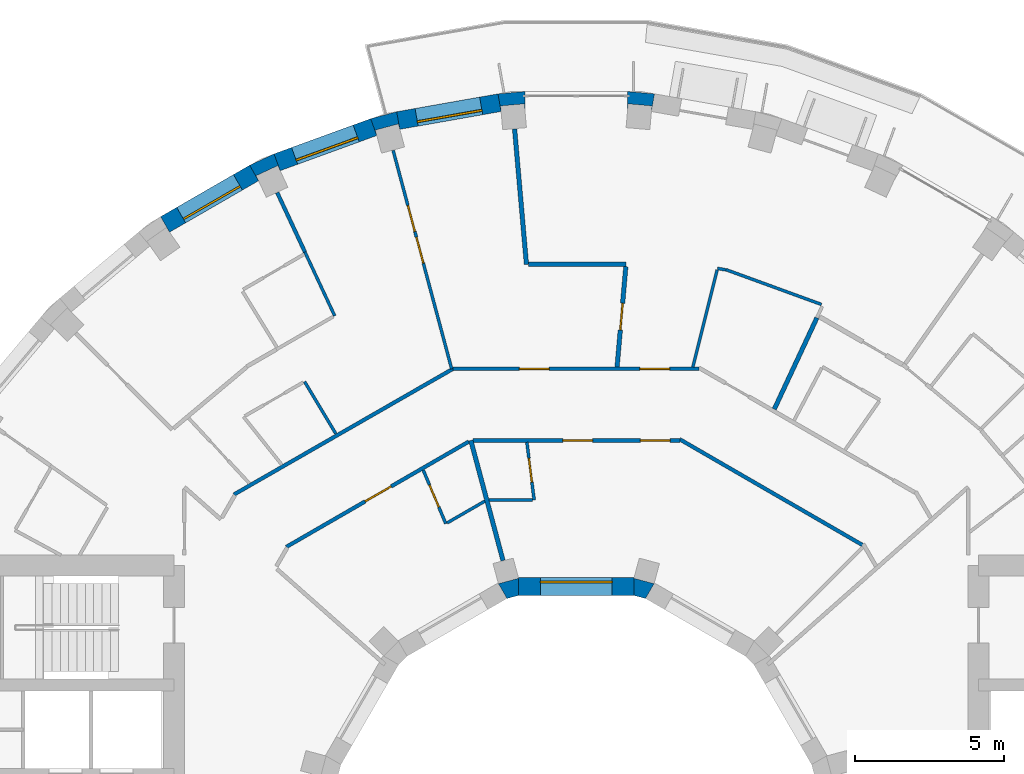
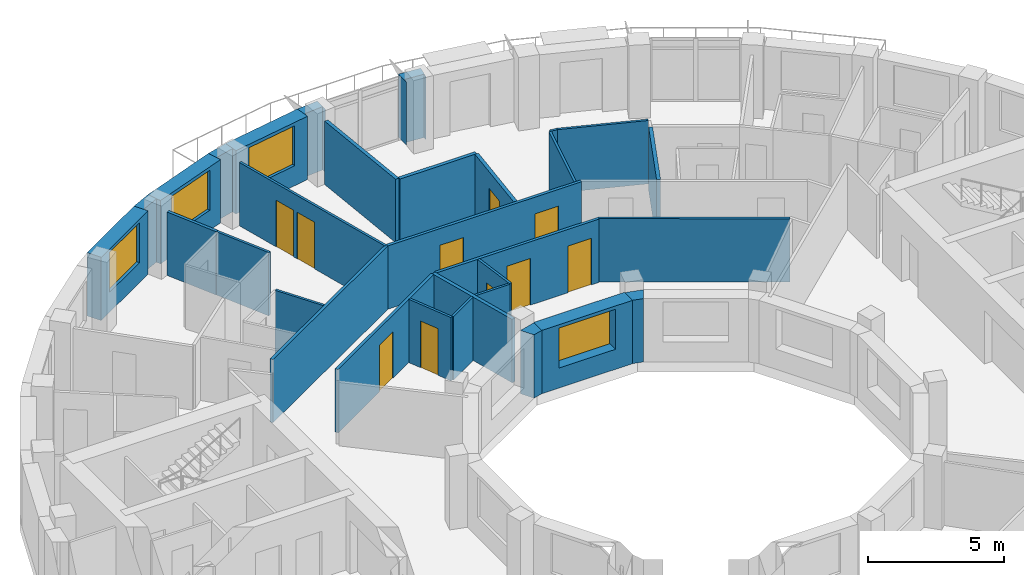
# One storey, part 10 of 13: 31 walls, 10 doors, 4 windows, 14 openings.
"""IFC4 building model written with IfcOpenShell, lengths in metres."""

import ifcopenshell
import ifcopenshell.guid

model = None  # the IFC model being written
_history = None  # IfcOwnerHistory: only IFC2X3 demands one
_inside = {}  # id of a spatial element -> (the spatial element, [elements in it])
_under = {}  # id of a project, library or spatial element -> (it, [spatial elements below it])
_declared = {}  # id of a project -> (the project, [libraries it declares])
_typed = {}  # id of a type object -> (the type object, [elements of that type])
_made_of = {}  # id of a material, layer set ... -> (it, [elements and type objects made of it])


def new_model(schema):
    """Start an empty IFC model of exactly this schema.

    Asked for "IFC4X3", IfcOpenShell would pick the latest addendum, in which some entities
    have other attributes; the version numbers below select the first issue.
    IFC2X3 requires an IfcOwnerHistory on every rooted entity: one is made here for all.
    """
    global model, _history
    if schema == "IFC4X3":
        model = ifcopenshell.file(schema_version=(4, 3, 0, 0))
    else:
        model = ifcopenshell.file(schema=schema)
    _inside.clear()
    _under.clear()
    _declared.clear()
    _typed.clear()
    _made_of.clear()
    _history = None
    if model.schema == "IFC2X3":
        org = make("IfcOrganization", Name="unknown")
        user = make(
            "IfcPersonAndOrganization",
            ThePerson=make("IfcPerson", FamilyName="unknown"),
            TheOrganization=org,
        )
        app = make(
            "IfcApplication",
            ApplicationDeveloper=org,
            Version="unknown",
            ApplicationFullName="unknown",
            ApplicationIdentifier="unknown",
        )
        _history = make(
            "IfcOwnerHistory",
            OwningUser=user,
            OwningApplication=app,
            ChangeAction="ADDED",
            CreationDate=0,
        )
    return model


def make(cls, **values):
    """One entity of the class cls with the attributes given. An attribute that is None is left unset."""
    return model.create_entity(
        cls, **{name: value for name, value in values.items() if value is not None}
    )


def rooted(cls, **values):
    """An entity with a GlobalId (a new one), such as an element, a storey or a relation."""
    return make(cls, GlobalId=ifcopenshell.guid.new(), OwnerHistory=_history, **values)


def si_unit(unit_type, name, prefix=None):
    """IfcSIUnit, for example si_unit("LENGTHUNIT", "METRE", prefix="MILLI")."""
    return make("IfcSIUnit", UnitType=unit_type, Prefix=prefix, Name=name)


def assignment(units):
    """IfcUnitAssignment: the units of a project."""
    return None if units is None else make("IfcUnitAssignment", Units=units)


def point(xyz):
    """IfcCartesianPoint."""
    return None if xyz is None else make("IfcCartesianPoint", Coordinates=xyz)


def direction(xyz):
    """IfcDirection."""
    return None if xyz is None else make("IfcDirection", DirectionRatios=xyz)


def frame(location, z_axis=None, x_axis=None):
    """IfcAxis2Placement3D, a coordinate frame: its origin and axes. An axis left out is left unset."""
    return make(
        "IfcAxis2Placement3D",
        Location=point(location),
        Axis=direction(z_axis),
        RefDirection=direction(x_axis),
    )


def frame_2d(location, x_axis=None):
    """IfcAxis2Placement2D, a coordinate frame in the plane: its origin and x axis."""
    return make(
        "IfcAxis2Placement2D", Location=point(location), RefDirection=direction(x_axis)
    )


def origin():
    """The frame at (0, 0, 0) with its axes left unset."""
    return frame((0.0, 0.0, 0.0))


def place(relative_to, where):
    """IfcLocalPlacement: puts the frame where relative to a parent placement (None: the world)."""
    return make(
        "IfcLocalPlacement", PlacementRelTo=relative_to, RelativePlacement=where
    )


def context(
    kind, dimensions, precision=None, world=None, true_north=None, identifier=None
):
    """IfcGeometricRepresentationContext, for example the 3D "Model" context."""
    return make(
        "IfcGeometricRepresentationContext",
        ContextIdentifier=identifier,
        ContextType=kind,
        CoordinateSpaceDimension=dimensions,
        Precision=precision,
        WorldCoordinateSystem=world,
        TrueNorth=true_north,
    )


def subcontext(parent, identifier, kind, view, scale=None):
    """IfcGeometricRepresentationSubContext, for example "Body" below "Model"."""
    return make(
        "IfcGeometricRepresentationSubContext",
        ContextIdentifier=identifier,
        ContextType=kind,
        ParentContext=parent,
        TargetScale=scale,
        TargetView=view,
    )


def project(units=None, contexts=None):
    """IfcProject with its units and contexts."""
    return rooted(
        "IfcProject",
        Name="project",
        RepresentationContexts=contexts,
        UnitsInContext=assignment(units),
    )


def spatial(cls, under=None, at=None, **own):
    """A site, building, storey or space (cls), placed at a placement, below another one or the project."""
    s = rooted(cls, ObjectPlacement=at, **own)
    if under is not None:
        _under.setdefault(under.id(), (under, []))[1].append(s)
    return s


def polyline(points):
    """IfcPolyline through the points."""
    return make("IfcPolyline", Points=[point(p) for p in points])


def profile(cls, at=None, kind="AREA", **sizes):
    """A parametric profile (cls). Its sizes go by their IFC names, for example OverallWidth=200.0."""
    return make(cls, ProfileType=kind, Position=at, **sizes)


def rectangle(**sizes):
    """IfcRectangleProfileDef."""
    return profile("IfcRectangleProfileDef", **sizes)


def outline(outer, holes=None, kind="AREA"):
    """IfcArbitraryClosedProfileDef: a profile drawn as a closed curve; with holes, ...WithVoids."""
    if holes is None:
        return make("IfcArbitraryClosedProfileDef", ProfileType=kind, OuterCurve=outer)
    return make(
        "IfcArbitraryProfileDefWithVoids",
        ProfileType=kind,
        OuterCurve=outer,
        InnerCurves=holes,
    )


def extrude(swept, where, along, depth):
    """IfcExtrudedAreaSolid: the profile swept, set in the frame where, extruded along a direction by depth."""
    return make(
        "IfcExtrudedAreaSolid",
        SweptArea=swept,
        Position=where,
        ExtrudedDirection=direction(along),
        Depth=depth,
    )


def shape(context_of_items, identifier, shape_type, items):
    """IfcShapeRepresentation: the items that make up one representation, for example the "Body"."""
    return make(
        "IfcShapeRepresentation",
        ContextOfItems=context_of_items,
        RepresentationIdentifier=identifier,
        RepresentationType=shape_type,
        Items=items,
    )


def material(Name=None, Category=None):
    """IfcMaterial."""
    return make("IfcMaterial", Name=Name, Category=Category)


def layer(
    of_material, thickness, ventilated=None, Name=None, Category=None, Priority=None
):
    """IfcMaterialLayer: one layer of a wall or slab, of a material (None: an air gap)."""
    return make(
        "IfcMaterialLayer",
        Material=of_material,
        LayerThickness=thickness,
        IsVentilated=ventilated,
        Name=Name,
        Category=Category,
        Priority=Priority,
    )


def layer_set(layers, Name=None):
    """IfcMaterialLayerSet."""
    return make("IfcMaterialLayerSet", MaterialLayers=layers, LayerSetName=Name)


def made_of(thing, what):
    """Note that an element or type object is made of a material, layer set ...; save() writes the relation."""
    if what is not None:
        _made_of.setdefault(what.id(), (what, []))[1].append(thing)
    return thing


def type_object(cls, material=None, **own):
    """A type object (cls), such as IfcWallType, which elements share."""
    return made_of(rooted(cls, **own), material)


def element(
    cls,
    number,
    at=None,
    inside=None,
    cuts=None,
    type_object=None,
    material=None,
    context=None,
    identifier="Body",
    shape_type=None,
    held_by="IfcProductDefinitionShape",
    body=None,
    shapes=None,
    **own,
):
    """One element of the class cls, such as IfcWall. Its Tag is "e" and its number.

    at: its placement. inside: the storey or other place that contains it. cuts: it is an
    opening in that element (IfcRelVoidsElement). A single representation is given by context,
    identifier, shape_type and body (its items); several are given by shapes. held_by: the class
    of the entity that holds the representations. save() writes the other relations.
    """
    e = rooted(cls, Tag="e%d" % number, ObjectPlacement=at, **own)
    if body is not None:
        shapes = [shape(context, identifier, shape_type, body)]
    if shapes is not None:
        e.Representation = make(held_by, Representations=shapes)
    if inside is not None:
        _inside.setdefault(inside.id(), (inside, []))[1].append(e)
    if cuts is not None:
        rooted(
            "IfcRelVoidsElement", RelatingBuildingElement=cuts, RelatedOpeningElement=e
        )
    if type_object is not None:
        _typed.setdefault(type_object.id(), (type_object, []))[1].append(e)
    return made_of(e, material)


def fill(opening, filler):
    """IfcRelFillsElement: the door or window that sits in an opening."""
    return rooted(
        "IfcRelFillsElement",
        RelatingOpeningElement=opening,
        RelatedBuildingElement=filler,
    )


def aggregate(whole, parts):
    """IfcRelAggregates: a whole, such as a stair, and the parts it consists of."""
    return rooted("IfcRelAggregates", RelatingObject=whole, RelatedObjects=parts)


def save(model, path):
    """Write the relations noted so far, then the file.

    IfcRelAggregates (storeys below a building ...), IfcRelContainedInSpatialStructure (elements
    in a storey), IfcRelDefinesByType, IfcRelAssociatesMaterial and IfcRelDeclares: one each for
    every whole, place, type object, material and project.
    """
    for whole, parts in _under.values():
        aggregate(whole, parts)
    for where, things in _inside.values():
        rooted(
            "IfcRelContainedInSpatialStructure",
            RelatedElements=things,
            RelatingStructure=where,
        )
    for kind, things in _typed.values():
        rooted("IfcRelDefinesByType", RelatedObjects=things, RelatingType=kind)
    for what, things in _made_of.values():
        rooted("IfcRelAssociatesMaterial", RelatedObjects=things, RelatingMaterial=what)
    for by, libraries in _declared.values():
        rooted("IfcRelDeclares", RelatingContext=by, RelatedDefinitions=libraries)
    model.write(path)


model = new_model("IFC4")

# Units and contexts
model_context = context("Model", 3, precision=1e-05, world=origin(), true_north=direction((0.0, 1.0)))
body_context = subcontext(model_context, "Body", "Model", "MODEL_VIEW")
ifc_project = project(units=[si_unit("LENGTHUNIT", "METRE"), si_unit("AREAUNIT", "SQUARE_METRE"), si_unit("VOLUMEUNIT", "CUBIC_METRE"), si_unit("PLANEANGLEUNIT", "RADIAN"), si_unit("MASSUNIT", "GRAM", prefix="KILO")], contexts=[model_context])

# Site, building, storey
site_placement = place(None, origin())
site = spatial("IfcSite", under=ifc_project, at=site_placement, CompositionType="ELEMENT")
building_placement = place(site_placement, origin())
building = spatial("IfcBuilding", under=site, at=building_placement, Name="Saqina Gate Tower", CompositionType="ELEMENT")
storey_placement = place(building_placement, frame((0.0, 0.0, 200.39990234375)))
storey = spatial("IfcBuildingStorey", under=building, at=storey_placement, Name="L57", CompositionType="ELEMENT", Elevation=200.39990234375)

# Walls
ifc_material_1 = material(Name="Brick masonry (buff)", Category="masonry")
wall_type_1 = type_object("IfcWallType", Name="BRICK PIER COPING BUFF", PredefinedType="SOLIDWALL", material=ifc_material_1)
wall_1_placement = place(storey_placement, origin())
element("IfcWall", 1, at=wall_1_placement, inside=storey, type_object=wall_type_1, Name="Pier cap L57 column 9", PredefinedType="SOLIDWALL", context=body_context, shape_type="SweptSolid", body=[
    extrude(outline(polyline([(2.6259765625, 24.825927734375), (1.724853515625, 24.90478515625), (1.724853515625, 24.304931640625), (1.7412109375, 24.491455078125), (2.5380859375, 24.421630859375), (2.521728515625, 24.235107421875), (2.6259765625, 24.825927734375)])), origin(), (0.0, 0.0, 1.0), 2.85009765625),
])
wall_2_placement = place(storey_placement, origin())
element("IfcWall", 2, at=wall_2_placement, inside=storey, type_object=wall_type_1, Name="Pier cap L57 column 10", PredefinedType="SOLIDWALL", context=body_context, shape_type="SweptSolid", body=[
    extrude(outline(polyline([(-1.724853515625, 24.90478515625), (-2.6259765625, 24.825927734375), (-2.521728515625, 24.235107421875), (-2.5380859375, 24.421630859375), (-1.7412109375, 24.491455078125), (-1.724853515625, 24.304931640625), (-1.724853515625, 24.90478515625)])), origin(), (0.0, 0.0, 1.0), 2.85009765625),
])
wall_3_placement = place(storey_placement, origin())
element("IfcWall", 3, at=wall_3_placement, inside=storey, type_object=wall_type_1, Name="Pier cap L57 column 11", PredefinedType="SOLIDWALL", context=body_context, shape_type="SweptSolid", body=[
    extrude(outline(polyline([(-6.0234375, 24.22705078125), (-6.897216796875, 23.992919921875), (-6.69189453125, 23.428955078125), (-6.740478515625, 23.610107421875), (-5.967529296875, 23.81689453125), (-5.919189453125, 23.635986328125), (-6.0234375, 24.22705078125)])), origin(), (0.0, 0.0, 1.0), 2.85009765625),
])
wall_4_placement = place(storey_placement, origin())
element("IfcWall", 4, at=wall_4_placement, inside=storey, type_object=wall_type_1, Name="Pier cap L57 column 12", PredefinedType="SOLIDWALL", context=body_context, shape_type="SweptSolid", body=[
    extrude(outline(polyline([(-10.958740234375, 22.4306640625), (-10.65869140625, 21.9111328125), (-10.73779296875, 22.080810546875), (-10.0126953125, 22.4189453125), (-9.93359375, 22.249267578125), (-10.138916015625, 22.81298828125), (-10.958740234375, 22.4306640625)])), origin(), (0.0, 0.0, 1.0), 2.85009765625),
])

# Wall, opening, window
ifc_material_2 = material(Name="Brick masonry (buff)", Category="masonry")
ifc_layer_1 = layer(ifc_material_2, 0.60009765625)
ifc_layer_set_1 = layer_set([ifc_layer_1], Name="FW-BRICK-BUFF")
wall_type_2 = type_object("IfcWallType", Name="FW-BRICK-BUFF", PredefinedType="SOLIDWALL", material=ifc_layer_set_1)
wall_5_placement = place(storey_placement, frame((-2.573974609375, 24.530517578125, 0.0), z_axis=(0.0, 0.0, 1.0), x_axis=(-0.984814892183, -0.173607684551, 0.0)))
wall_5 = element("IfcWall", 5, at=wall_5_placement, inside=storey, type_object=wall_type_2, Name="Facade wall L57 facet 10", PredefinedType="SOLIDWALL", context=body_context, shape_type="SweptSolid", body=[
    extrude(rectangle(XDim=3.44970703125, YDim=0.60009765625, at=frame_2d((1.724853515625, 0.0))), origin(), (0.0, 0.0, 1.0), 2.85009765625),
])
opening_1_placement = place(wall_5_placement, frame((0.625, 0.0, 0.89990234375)))
opening_1 = element("IfcOpeningElement", 6, at=opening_1_placement, cuts=wall_5, Name="Opening G17-W04", PredefinedType="OPENING", context=body_context, shape_type="SweptSolid", body=[
    extrude(rectangle(XDim=2.199951171875, YDim=1.800048828125, at=frame_2d((1.10009765625, 0.89990234375))), frame((0.0, 0.31201171875, 0.0), z_axis=(0.0, -1.0, 0.0), x_axis=(1.0, 0.0, 0.0)), (0.0, 0.0, 1.0), 0.6240234375),
])
ifc_material_3 = material(Name="Aluminium glazing", Category="aluminium")
window_type_1 = type_object("IfcWindowType", Name="WN-C", PartitioningType="SINGLE_PANEL", PredefinedType="WINDOW", material=ifc_material_3)
window_1_placement = place(opening_1_placement, origin())
window_1 = element("IfcWindow", 7, at=window_1_placement, inside=storey, type_object=window_type_1, Name="Window L57 facet 10", OverallHeight=1.800048828125, OverallWidth=2.199951171875, PartitioningType="SINGLE_PANEL", PredefinedType="WINDOW", context=body_context, shape_type="SweptSolid", body=[
    extrude(rectangle(XDim=2.199951171875, YDim=1.800048828125, at=frame_2d((1.10009765625, 0.89990234375))), frame((0.0, 0.179931640625, 0.0), z_axis=(0.0, -1.0, 0.0), x_axis=(1.0, 0.0, 0.0)), (0.0, 0.0, 1.0), 0.06005859375),
])
fill(opening_1, window_1)

wall_6_placement = place(storey_placement, frame((-6.79443359375, 23.7109375, 0.0), z_axis=(0.0, 0.0, 1.0), x_axis=(-0.93968799822, -0.342032843455, 0.0)))
wall_6 = element("IfcWall", 8, at=wall_6_placement, inside=storey, type_object=wall_type_2, Name="Facade wall L57 facet 11", PredefinedType="SOLIDWALL", context=body_context, shape_type="SweptSolid", body=[
    extrude(rectangle(XDim=3.44970703125, YDim=0.60009765625, at=frame_2d((1.724853515625, 0.0))), origin(), (0.0, 0.0, 1.0), 2.85009765625),
])
opening_2_placement = place(wall_6_placement, frame((0.625, 0.0, 0.89990234375)))
opening_2 = element("IfcOpeningElement", 9, at=opening_2_placement, cuts=wall_6, Name="Opening G17-W05", PredefinedType="OPENING", context=body_context, shape_type="SweptSolid", body=[
    extrude(rectangle(XDim=2.199951171875, YDim=1.800048828125, at=frame_2d((1.10009765625, 0.89990234375))), frame((0.0, 0.31201171875, 0.0), z_axis=(0.0, -1.0, 0.0), x_axis=(1.0, 0.0, 0.0)), (0.0, 0.0, 1.0), 0.6240234375),
])
window_2_placement = place(opening_2_placement, origin())
window_2 = element("IfcWindow", 10, at=window_2_placement, inside=storey, type_object=window_type_1, Name="Window L57 facet 11", OverallHeight=1.800048828125, OverallWidth=2.199951171875, PartitioningType="SINGLE_PANEL", PredefinedType="WINDOW", context=body_context, shape_type="SweptSolid", body=[
    extrude(rectangle(XDim=2.199951171875, YDim=1.800048828125, at=frame_2d((1.10009765625, 0.89990234375))), frame((0.0, 0.179931640625, 0.0), z_axis=(0.0, -1.0, 0.0), x_axis=(1.0, 0.0, 0.0)), (0.0, 0.0, 1.0), 0.06005859375),
])
fill(opening_2, window_2)

wall_7_placement = place(storey_placement, frame((-10.80859375, 22.1708984375, 0.0), z_axis=(0.0, 0.0, 1.0), x_axis=(-0.86602648383, -0.499998129301, 0.0)))
wall_7 = element("IfcWall", 11, at=wall_7_placement, inside=storey, type_object=wall_type_2, Name="Facade wall L57 facet 12", PredefinedType="SOLIDWALL", context=body_context, shape_type="SweptSolid", body=[
    extrude(rectangle(XDim=3.44970703125, YDim=0.60009765625, at=frame_2d((1.724853515625, 0.0))), origin(), (0.0, 0.0, 1.0), 2.85009765625),
])
opening_3_placement = place(wall_7_placement, frame((0.625, 0.0, 0.89990234375)))
opening_3 = element("IfcOpeningElement", 12, at=opening_3_placement, cuts=wall_7, Name="Opening G17-W06", PredefinedType="OPENING", context=body_context, shape_type="SweptSolid", body=[
    extrude(rectangle(XDim=2.199951171875, YDim=1.800048828125, at=frame_2d((1.10009765625, 0.89990234375))), frame((0.0, 0.31201171875, 0.0), z_axis=(0.0, -1.0, 0.0), x_axis=(1.0, 0.0, 0.0)), (0.0, 0.0, 1.0), 0.6240234375),
])
window_3_placement = place(opening_3_placement, origin())
window_3 = element("IfcWindow", 13, at=window_3_placement, inside=storey, type_object=window_type_1, Name="Window L57 facet 12", OverallHeight=1.800048828125, OverallWidth=2.199951171875, PartitioningType="SINGLE_PANEL", PredefinedType="WINDOW", context=body_context, shape_type="SweptSolid", body=[
    extrude(rectangle(XDim=2.199951171875, YDim=1.800048828125, at=frame_2d((1.10009765625, 0.89990234375))), frame((0.0, 0.179931640625, 0.0), z_axis=(0.0, -1.0, 0.0), x_axis=(1.0, 0.0, 0.0)), (0.0, 0.0, 1.0), 0.06005859375),
])
fill(opening_3, window_3)

ifc_material_4 = material(Name="Glazed ceramic tile", Category="ceramic")
ifc_layer_2 = layer(ifc_material_4, 0.60009765625)
ifc_layer_set_2 = layer_set([ifc_layer_2], Name="IW-TILE")
wall_type_3 = type_object("IfcWallType", Name="IW-TILE", PredefinedType="SOLIDWALL", material=ifc_layer_set_2)
wall_8_placement = place(storey_placement, frame((1.934814453125, 8.300048828125, 0.0), z_axis=(0.0, 0.0, 1.0), x_axis=(-1.0, 0.0, 0.0)))
wall_8 = element("IfcWall", 14, at=wall_8_placement, inside=storey, type_object=wall_type_3, Name="Well wall L57 facet 3", PredefinedType="SOLIDWALL", context=body_context, shape_type="SweptSolid", body=[
    extrude(rectangle(XDim=3.86962890625, YDim=0.60009765625, at=frame_2d((1.934814453125, 0.0))), origin(), (0.0, 0.0, 1.0), 2.85009765625),
])
opening_4_placement = place(wall_8_placement, frame((0.73486328125, 0.0, 0.89990234375)))
opening_4 = element("IfcOpeningElement", 15, at=opening_4_placement, cuts=wall_8, Name="Opening G17-W25", PredefinedType="OPENING", context=body_context, shape_type="SweptSolid", body=[
    extrude(rectangle(XDim=2.39990234375, YDim=1.800048828125, at=frame_2d((1.199951171875, 0.89990234375))), frame((0.0, 0.31201171875, 0.0), z_axis=(0.0, -1.0, 0.0), x_axis=(1.0, 0.0, 0.0)), (0.0, 0.0, 1.0), 0.6240234375),
])
ifc_material_5 = material(Name="Aluminium glazing", Category="aluminium")
window_type_2 = type_object("IfcWindowType", Name="WN-W", PartitioningType="SINGLE_PANEL", PredefinedType="WINDOW", material=ifc_material_5)
window_4_placement = place(opening_4_placement, origin())
window_4 = element("IfcWindow", 16, at=window_4_placement, inside=storey, type_object=window_type_2, Name="Well window L57 facet 3", OverallHeight=1.800048828125, OverallWidth=2.39990234375, PartitioningType="SINGLE_PANEL", PredefinedType="WINDOW", context=body_context, shape_type="SweptSolid", body=[
    extrude(rectangle(XDim=2.39990234375, YDim=1.800048828125, at=frame_2d((1.199951171875, 0.89990234375))), frame((0.0, -0.119873046875, 0.0), z_axis=(0.0, -1.0, 0.0), x_axis=(1.0, 0.0, 0.0)), (0.0, 0.0, 1.0), 0.06005859375),
])
fill(opening_4, window_4)

# Wall, opening, door
ifc_material_6 = material(Name="Gypsum board on steel studs, 100 mm", Category="steel")
ifc_layer_3 = layer(ifc_material_6, 0.10009765625)
ifc_layer_set_3 = layer_set([ifc_layer_3], Name="PARTITION 100")
wall_type_4 = type_object("IfcWallType", Name="PARTITION 100", PredefinedType="PARTITIONING", material=ifc_layer_set_3)
wall_9_placement = place(storey_placement, frame((-1.65625, 13.137939453125, 0.0), z_axis=(0.0, 0.0, 1.0), x_axis=(0.124988435199, -0.992158198609, 0.0)))
wall_9 = element("IfcWall", 17, at=wall_9_placement, inside=storey, type_object=wall_type_4, Name="PARTITION PW3-02", PredefinedType="PARTITIONING", context=body_context, shape_type="SweptSolid", body=[
    extrude(rectangle(XDim=1.953369140625, YDim=0.10009765625, at=frame_2d((0.9765625, 0.0))), origin(), (0.0, 0.0, 1.0), 2.85009765625),
])
opening_5_placement = place(wall_9_placement, frame((0.54541015625, 0.0, 0.0)))
opening_5 = element("IfcOpeningElement", 18, at=opening_5_placement, cuts=wall_9, Name="Opening G17-D15", PredefinedType="OPENING", context=body_context, shape_type="SweptSolid", body=[
    extrude(rectangle(XDim=0.800048828125, YDim=2.10009765625, at=frame_2d((0.39990234375, 1.050048828125))), frame((0.0, 0.06201171875, 0.0), z_axis=(0.0, -1.0, 0.0), x_axis=(1.0, 0.0, 0.0)), (0.0, 0.0, 1.0), 0.1240234375),
])
ifc_material_7 = material(Name="Timber door leaf, 800 mm", Category="wood")
door_type_1 = type_object("IfcDoorType", Name="DOOR 800 TIMBER", OperationType="SINGLE_SWING_LEFT", PredefinedType="DOOR", material=ifc_material_7)
door_1_placement = place(opening_5_placement, origin())
door_1 = element("IfcDoor", 19, at=door_1_placement, inside=storey, type_object=door_type_1, Name="DOOR G17-D15", OperationType="SINGLE_SWING_LEFT", OverallHeight=2.10009765625, OverallWidth=0.800048828125, PredefinedType="DOOR", context=body_context, shape_type="SweptSolid", body=[
    extrude(rectangle(XDim=0.800048828125, YDim=2.10009765625, at=frame_2d((0.39990234375, 1.050048828125))), frame((0.0, 0.02490234375, 0.0), z_axis=(0.0, -1.0, 0.0), x_axis=(1.0, 0.0, 0.0)), (0.0, 0.0, 1.0), 0.050048828125),
])
fill(opening_5, door_1)

# Wall, openings, doors
wall_10_placement = place(storey_placement, frame((-6.14404296875, 22.93115234375, 0.0), z_axis=(0.0, 0.0, 1.0), x_axis=(0.258789681819, -0.965933693679, 0.0)))
wall_10 = element("IfcWall", 20, at=wall_10_placement, inside=storey, type_object=wall_type_4, Name="PARTITION PW3-03", PredefinedType="PARTITIONING", context=body_context, shape_type="SweptSolid", body=[
    extrude(rectangle(XDim=7.589599609375, YDim=0.10009765625, at=frame_2d((3.794921875, 0.0))), origin(), (0.0, 0.0, 1.0), 2.85009765625),
])
opening_6_placement = place(wall_10_placement, frame((3.016357421875, 0.0, 0.0)))
opening_6 = element("IfcOpeningElement", 21, at=opening_6_placement, cuts=wall_10, Name="Opening G17-D16", PredefinedType="OPENING", context=body_context, shape_type="SweptSolid", body=[
    extrude(rectangle(XDim=0.89990234375, YDim=2.10009765625, at=frame_2d((0.449951171875, 1.050048828125))), frame((0.0, 0.06201171875, 0.0), z_axis=(0.0, -1.0, 0.0), x_axis=(1.0, 0.0, 0.0)), (0.0, 0.0, 1.0), 0.1240234375),
])
opening_7_placement = place(wall_10_placement, frame((1.916259765625, 0.0, 0.0)))
opening_7 = element("IfcOpeningElement", 22, at=opening_7_placement, cuts=wall_10, Name="Opening G17-D17", PredefinedType="OPENING", context=body_context, shape_type="SweptSolid", body=[
    extrude(rectangle(XDim=0.89990234375, YDim=2.10009765625, at=frame_2d((0.449951171875, 1.050048828125))), frame((0.0, 0.06201171875, 0.0), z_axis=(0.0, -1.0, 0.0), x_axis=(1.0, 0.0, 0.0)), (0.0, 0.0, 1.0), 0.1240234375),
])
ifc_material_8 = material(Name="Timber door leaf, 900 mm", Category="wood")
door_type_2 = type_object("IfcDoorType", Name="DOOR 900 TIMBER", OperationType="SINGLE_SWING_LEFT", PredefinedType="DOOR", material=ifc_material_8)
door_2_placement = place(opening_6_placement, frame((0.89990234375, 0.0, 0.0), z_axis=(0.0, 0.0, 1.0), x_axis=(-1.0, 0.0, 0.0)))
door_2 = element("IfcDoor", 23, at=door_2_placement, inside=storey, type_object=door_type_2, Name="DOOR G17-D16", OperationType="SINGLE_SWING_RIGHT", OverallHeight=2.10009765625, OverallWidth=0.89990234375, PredefinedType="DOOR", context=body_context, shape_type="SweptSolid", body=[
    extrude(rectangle(XDim=0.89990234375, YDim=2.10009765625, at=frame_2d((0.449951171875, 1.050048828125))), frame((0.0, 0.02490234375, 0.0), z_axis=(0.0, -1.0, 0.0), x_axis=(1.0, 0.0, 0.0)), (0.0, 0.0, 1.0), 0.050048828125),
])
fill(opening_6, door_2)
door_3_placement = place(opening_7_placement, frame((0.89990234375, 0.0, 0.0), z_axis=(0.0, 0.0, 1.0), x_axis=(-1.0, 0.0, 0.0)))
door_3 = element("IfcDoor", 24, at=door_3_placement, inside=storey, type_object=door_type_2, Name="DOOR G17-D17", OperationType="SINGLE_SWING_RIGHT", OverallHeight=2.10009765625, OverallWidth=0.89990234375, PredefinedType="DOOR", context=body_context, shape_type="SweptSolid", body=[
    extrude(rectangle(XDim=0.89990234375, YDim=2.10009765625, at=frame_2d((0.449951171875, 1.050048828125))), frame((0.0, 0.02490234375, 0.0), z_axis=(0.0, -1.0, 0.0), x_axis=(1.0, 0.0, 0.0)), (0.0, 0.0, 1.0), 0.050048828125),
])
fill(opening_7, door_3)

# Wall, opening, door
wall_11_placement = place(storey_placement, frame((-5.134521484375, 12.2060546875, 0.0), z_axis=(0.0, 0.0, 1.0), x_axis=(0.387906100406, -0.921698897291, 0.0)))
wall_11 = element("IfcWall", 25, at=wall_11_placement, inside=storey, type_object=wall_type_4, Name="PARTITION PW3-06", PredefinedType="PARTITIONING", context=body_context, shape_type="SweptSolid", body=[
    extrude(rectangle(XDim=1.952880859375, YDim=0.10009765625, at=frame_2d((0.9765625, 0.0))), origin(), (0.0, 0.0, 1.0), 2.85009765625),
])
opening_8_placement = place(wall_11_placement, frame((0.544921875, 0.0, 0.0)))
opening_8 = element("IfcOpeningElement", 26, at=opening_8_placement, cuts=wall_11, Name="Opening G17-D18", PredefinedType="OPENING", context=body_context, shape_type="SweptSolid", body=[
    extrude(rectangle(XDim=0.800048828125, YDim=2.10009765625, at=frame_2d((0.39990234375, 1.050048828125))), frame((0.0, 0.06201171875, 0.0), z_axis=(0.0, -1.0, 0.0), x_axis=(1.0, 0.0, 0.0)), (0.0, 0.0, 1.0), 0.1240234375),
])
door_4_placement = place(opening_8_placement, frame((0.800048828125, 0.0, 0.0), z_axis=(0.0, 0.0, 1.0), x_axis=(-1.0, 0.0, 0.0)))
door_4 = element("IfcDoor", 27, at=door_4_placement, inside=storey, type_object=door_type_1, Name="DOOR G17-D18", OperationType="SINGLE_SWING_RIGHT", OverallHeight=2.10009765625, OverallWidth=0.800048828125, PredefinedType="DOOR", context=body_context, shape_type="SweptSolid", body=[
    extrude(rectangle(XDim=0.800048828125, YDim=2.10009765625, at=frame_2d((0.39990234375, 1.050048828125))), frame((0.0, 0.02490234375, 0.0), z_axis=(0.0, -1.0, 0.0), x_axis=(1.0, 0.0, 0.0)), (0.0, 0.0, 1.0), 0.050048828125),
])
fill(opening_8, door_4)

# Walls
wall_12_placement = place(storey_placement, frame((-9.1025390625, 19.51904296875, 0.0), z_axis=(0.0, 0.0, 1.0), x_axis=(0.422834478158, -0.906206932263, 0.0)))
element("IfcWall", 28, at=wall_12_placement, inside=storey, type_object=wall_type_4, Name="PARTITION PW3-08", PredefinedType="PARTITIONING", context=body_context, shape_type="SweptSolid", body=[
    extrude(rectangle(XDim=2.359130859375, YDim=0.10009765625, at=frame_2d((1.1796875, 0.0))), origin(), (0.0, 0.0, 1.0), 2.85009765625),
])
wall_13_placement = place(storey_placement, frame((-9.114990234375, 15.171142578125, 0.0), z_axis=(0.0, 0.0, 1.0), x_axis=(0.514495755428, -0.857492925713, 0.0)))
element("IfcWall", 29, at=wall_13_placement, inside=storey, type_object=wall_type_4, Name="PARTITION PW3-11", PredefinedType="PARTITIONING", context=body_context, shape_type="SweptSolid", body=[
    extrude(rectangle(XDim=2.031494140625, YDim=0.10009765625, at=frame_2d((1.015625, 0.0))), origin(), (0.0, 0.0, 1.0), 2.85009765625),
])
wall_14_placement = place(storey_placement, frame((5.020263671875, 18.9296875, 0.0), z_axis=(0.0, 0.0, 1.0), x_axis=(0.939619985891, -0.342219640165, 0.0)))
element("IfcWall", 30, at=wall_14_placement, inside=storey, type_object=wall_type_4, Name="PARTITION PW3-33", PredefinedType="PARTITIONING", context=body_context, shape_type="SweptSolid", body=[
    extrude(rectangle(XDim=3.41357421875, YDim=0.10009765625, at=frame_2d((1.706787109375, 0.0))), origin(), (0.0, 0.0, 1.0), 2.85009765625),
])
wall_15_placement = place(storey_placement, frame((4.739013671875, 18.97021484375, 0.0), z_axis=(0.0, 0.0, 1.0), x_axis=(0.984670903861, -0.174422507403, 0.0)))
element("IfcWall", 31, at=wall_15_placement, inside=storey, type_object=wall_type_4, Name="PARTITION PW3-34", PredefinedType="PARTITIONING", context=body_context, shape_type="SweptSolid", body=[
    extrude(rectangle(XDim=0.2841796875, YDim=0.10009765625, at=frame_2d((0.14208984375, 0.0))), origin(), (0.0, 0.0, 1.0), 2.85009765625),
])
wall_16_placement = place(storey_placement, frame((-2.926025390625, 11.199951171875, 0.0), z_axis=(0.0, 0.0, 1.0), x_axis=(1.0, 0.0, 0.0)))
element("IfcWall", 32, at=wall_16_placement, inside=storey, type_object=wall_type_4, Name="PARTITION PW3-38", PredefinedType="PARTITIONING", context=body_context, shape_type="SweptSolid", body=[
    extrude(rectangle(XDim=1.464111328125, YDim=0.10009765625, at=frame_2d((0.73193359375, 0.0))), origin(), (0.0, 0.0, 1.0), 2.85009765625),
])
wall_17_placement = place(storey_placement, frame((-4.333740234375, 10.430908203125, 0.0), z_axis=(0.0, 0.0, 1.0), x_axis=(0.866110606688, 0.499852395195, 0.0)))
element("IfcWall", 33, at=wall_17_placement, inside=storey, type_object=wall_type_4, Name="PARTITION PW3-43", PredefinedType="PARTITIONING", context=body_context, shape_type="SweptSolid", body=[
    extrude(rectangle(XDim=1.4638671875, YDim=0.10009765625, at=frame_2d((0.73193359375, 0.0))), origin(), (0.0, 0.0, 1.0), 2.85009765625),
])
wall_18_placement = place(storey_placement, frame((3.912109375, 15.66064453125, 0.0), z_axis=(0.0, 0.0, 1.0), x_axis=(0.24239884799, 0.970176684163, 0.0)))
element("IfcWall", 34, at=wall_18_placement, inside=storey, type_object=wall_type_4, Name="PARTITION PW3-65", PredefinedType="PARTITIONING", context=body_context, shape_type="SweptSolid", body=[
    extrude(rectangle(XDim=3.35986328125, YDim=0.10009765625, at=frame_2d((1.679931640625, 0.0))), origin(), (0.0, 0.0, 1.0), 2.85009765625),
])
ifc_material_9 = material(Name="Gypsum board on steel studs, 125 mm, fire rated", Category="steel")
ifc_layer_4 = layer(ifc_material_9, 0.125)
ifc_layer_set_4 = layer_set([ifc_layer_4], Name="PARTITION EI 30 125")
wall_type_5 = type_object("IfcWallType", Name="PARTITION EI 30 125", PredefinedType="PARTITIONING", material=ifc_layer_set_4)
wall_19_placement = place(storey_placement, frame((-10.033203125, 21.515625, 0.0), z_axis=(0.0, 0.0, 1.0), x_axis=(0.422709503006, -0.906265234944, 0.0)))
element("IfcWall", 35, at=wall_19_placement, inside=storey, type_object=wall_type_5, Name="PARTITION PW1-01", PredefinedType="PARTITIONING", context=body_context, shape_type="SweptSolid", body=[
    extrude(rectangle(XDim=2.202880859375, YDim=0.125, at=frame_2d((1.1015625, 0.0))), origin(), (0.0, 0.0, 1.0), 2.85009765625),
])
wall_20_placement = place(storey_placement, frame((3.474609375, 13.236083984375, 0.0), z_axis=(0.0, 0.0, 1.0), x_axis=(0.865567882145, -0.500791614745, 0.0)))
element("IfcWall", 36, at=wall_20_placement, inside=storey, type_object=wall_type_5, Name="PARTITION PW1-15", PredefinedType="PARTITIONING", context=body_context, shape_type="SweptSolid", body=[
    extrude(rectangle(XDim=7.0810546875, YDim=0.125, at=frame_2d((3.54052734375, 0.0))), origin(), (0.0, 0.0, 1.0), 2.85009765625),
])

# Wall, openings, doors
wall_21_placement = place(storey_placement, frame((-3.4619140625, 13.199951171875, 0.0), z_axis=(0.0, 0.0, 1.0), x_axis=(1.0, 0.0, 0.0)))
wall_21 = element("IfcWall", 37, at=wall_21_placement, inside=storey, type_object=wall_type_5, Name="PARTITION PW1-23", PredefinedType="PARTITIONING", context=body_context, shape_type="SweptSolid", body=[
    extrude(rectangle(XDim=6.9365234375, YDim=0.125, at=frame_2d((3.46826171875, 0.0))), origin(), (0.0, 0.0, 1.0), 2.85009765625),
])
opening_9_placement = place(wall_21_placement, frame((5.614013671875, 0.0, 0.0)))
opening_9 = element("IfcOpeningElement", 38, at=opening_9_placement, cuts=wall_21, Name="Opening G17-D10", PredefinedType="OPENING", context=body_context, shape_type="SweptSolid", body=[
    extrude(rectangle(XDim=1.0, YDim=2.10009765625, at=frame_2d((0.5, 1.050048828125))), frame((0.0, 0.074462890625, 0.0), z_axis=(0.0, -1.0, 0.0), x_axis=(1.0, 0.0, 0.0)), (0.0, 0.0, 1.0), 0.14892578125),
])
opening_10_placement = place(wall_21_placement, frame((3.012939453125, 0.0, 0.0)))
opening_10 = element("IfcOpeningElement", 39, at=opening_10_placement, cuts=wall_21, Name="Opening G17-D13", PredefinedType="OPENING", context=body_context, shape_type="SweptSolid", body=[
    extrude(rectangle(XDim=1.0, YDim=2.10009765625, at=frame_2d((0.5, 1.050048828125))), frame((0.0, 0.074462890625, 0.0), z_axis=(0.0, -1.0, 0.0), x_axis=(1.0, 0.0, 0.0)), (0.0, 0.0, 1.0), 0.14892578125),
])
ifc_material_10 = material(Name="Fire door leaf EI 30, 1000 mm")
door_type_3 = type_object("IfcDoorType", Name="DOOR 1000 EI 30", OperationType="SINGLE_SWING_LEFT", PredefinedType="DOOR", material=ifc_material_10)
door_5_placement = place(opening_9_placement, frame((1.0, 0.0, 0.0), z_axis=(0.0, 0.0, 1.0), x_axis=(-1.0, 0.0, 0.0)))
door_5 = element("IfcDoor", 40, at=door_5_placement, inside=storey, type_object=door_type_3, Name="DOOR G17-D10", OperationType="SINGLE_SWING_LEFT", OverallHeight=2.10009765625, OverallWidth=1.0, PredefinedType="DOOR", context=body_context, shape_type="SweptSolid", body=[
    extrude(rectangle(XDim=1.0, YDim=2.10009765625, at=frame_2d((0.5, 1.050048828125))), frame((0.0, 0.02490234375, 0.0), z_axis=(0.0, -1.0, 0.0), x_axis=(1.0, 0.0, 0.0)), (0.0, 0.0, 1.0), 0.050048828125),
])
fill(opening_9, door_5)
door_6_placement = place(opening_10_placement, frame((1.0, 0.0, 0.0), z_axis=(0.0, 0.0, 1.0), x_axis=(-1.0, 0.0, 0.0)))
door_6 = element("IfcDoor", 41, at=door_6_placement, inside=storey, type_object=door_type_3, Name="DOOR G17-D13", OperationType="SINGLE_SWING_LEFT", OverallHeight=2.10009765625, OverallWidth=1.0, PredefinedType="DOOR", context=body_context, shape_type="SweptSolid", body=[
    extrude(rectangle(XDim=1.0, YDim=2.10009765625, at=frame_2d((0.5, 1.050048828125))), frame((0.0, 0.02490234375, 0.0), z_axis=(0.0, -1.0, 0.0), x_axis=(1.0, 0.0, 0.0)), (0.0, 0.0, 1.0), 0.050048828125),
])
fill(opening_10, door_6)

wall_22_placement = place(storey_placement, frame((-4.12890625, 15.60009765625, 0.0), z_axis=(0.0, 0.0, 1.0), x_axis=(1.0, 0.0, 0.0)))
wall_22 = element("IfcWall", 42, at=wall_22_placement, inside=storey, type_object=wall_type_5, Name="PARTITION PW1-24", PredefinedType="PARTITIONING", context=body_context, shape_type="SweptSolid", body=[
    extrude(rectangle(XDim=8.246337890625, YDim=0.125, at=frame_2d((4.123046875, 0.0))), origin(), (0.0, 0.0, 1.0), 2.85009765625),
])
opening_11_placement = place(wall_22_placement, frame((6.260009765625, 0.0, 0.0)))
opening_11 = element("IfcOpeningElement", 43, at=opening_11_placement, cuts=wall_22, Name="Opening G17-D11", PredefinedType="OPENING", context=body_context, shape_type="SweptSolid", body=[
    extrude(rectangle(XDim=1.0, YDim=2.10009765625, at=frame_2d((0.5, 1.050048828125))), frame((0.0, 0.074462890625, 0.0), z_axis=(0.0, -1.0, 0.0), x_axis=(1.0, 0.0, 0.0)), (0.0, 0.0, 1.0), 0.14892578125),
])
opening_12_placement = place(wall_22_placement, frame((2.221435546875, 0.0, 0.0)))
opening_12 = element("IfcOpeningElement", 44, at=opening_12_placement, cuts=wall_22, Name="Opening G17-D14", PredefinedType="OPENING", context=body_context, shape_type="SweptSolid", body=[
    extrude(rectangle(XDim=1.0, YDim=2.10009765625, at=frame_2d((0.5, 1.050048828125))), frame((0.0, 0.074462890625, 0.0), z_axis=(0.0, -1.0, 0.0), x_axis=(1.0, 0.0, 0.0)), (0.0, 0.0, 1.0), 0.14892578125),
])
door_7_placement = place(opening_11_placement, frame((1.0, 0.0, 0.0), z_axis=(0.0, 0.0, 1.0), x_axis=(-1.0, 0.0, 0.0)))
door_7 = element("IfcDoor", 45, at=door_7_placement, inside=storey, type_object=door_type_3, Name="DOOR G17-D11", OperationType="SINGLE_SWING_LEFT", OverallHeight=2.10009765625, OverallWidth=1.0, PredefinedType="DOOR", context=body_context, shape_type="SweptSolid", body=[
    extrude(rectangle(XDim=1.0, YDim=2.10009765625, at=frame_2d((0.5, 1.050048828125))), frame((0.0, 0.02490234375, 0.0), z_axis=(0.0, -1.0, 0.0), x_axis=(1.0, 0.0, 0.0)), (0.0, 0.0, 1.0), 0.050048828125),
])
fill(opening_11, door_7)
door_8_placement = place(opening_12_placement, origin())
door_8 = element("IfcDoor", 46, at=door_8_placement, inside=storey, type_object=door_type_3, Name="DOOR G17-D14", OperationType="SINGLE_SWING_LEFT", OverallHeight=2.10009765625, OverallWidth=1.0, PredefinedType="DOOR", context=body_context, shape_type="SweptSolid", body=[
    extrude(rectangle(XDim=1.0, YDim=2.10009765625, at=frame_2d((0.5, 1.050048828125))), frame((0.0, 0.02490234375, 0.0), z_axis=(0.0, -1.0, 0.0), x_axis=(1.0, 0.0, 0.0)), (0.0, 0.0, 1.0), 0.050048828125),
])
fill(opening_12, door_8)

# Wall
wall_23_placement = place(storey_placement, frame((-11.483642578125, 11.384521484375, 0.0), z_axis=(0.0, 0.0, 1.0), x_axis=(0.867290156456, 0.497802957519, 0.0)))
element("IfcWall", 47, at=wall_23_placement, inside=storey, type_object=wall_type_5, Name="PARTITION PW1-27", PredefinedType="PARTITIONING", context=body_context, shape_type="SweptSolid", body=[
    extrude(rectangle(XDim=8.480224609375, YDim=0.125, at=frame_2d((4.240234375, 0.0))), origin(), (0.0, 0.0, 1.0), 2.85009765625),
])

# Wall, opening, door
wall_24_placement = place(storey_placement, frame((-9.7255859375, 9.626953125, 0.0), z_axis=(0.0, 0.0, 1.0), x_axis=(0.866011939619, 0.500023319893, 0.0)))
wall_24 = element("IfcWall", 48, at=wall_24_placement, inside=storey, type_object=wall_type_5, Name="PARTITION PW1-31", PredefinedType="PARTITIONING", context=body_context, shape_type="SweptSolid", body=[
    extrude(rectangle(XDim=7.071044921875, YDim=0.125, at=frame_2d((3.53564453125, 0.0))), origin(), (0.0, 0.0, 1.0), 2.85009765625),
])
opening_13_placement = place(wall_24_placement, frame((3.0576171875, 0.0, 0.0)))
opening_13 = element("IfcOpeningElement", 49, at=opening_13_placement, cuts=wall_24, Name="Opening G17-D20", PredefinedType="OPENING", context=body_context, shape_type="SweptSolid", body=[
    extrude(rectangle(XDim=1.0, YDim=2.10009765625, at=frame_2d((0.5, 1.050048828125))), frame((0.0, 0.074462890625, 0.0), z_axis=(0.0, -1.0, 0.0), x_axis=(1.0, 0.0, 0.0)), (0.0, 0.0, 1.0), 0.14892578125),
])
door_9_placement = place(opening_13_placement, frame((1.0, 0.0, 0.0), z_axis=(0.0, 0.0, 1.0), x_axis=(-1.0, 0.0, 0.0)))
door_9 = element("IfcDoor", 50, at=door_9_placement, inside=storey, type_object=door_type_3, Name="DOOR G17-D20", OperationType="SINGLE_SWING_LEFT", OverallHeight=2.10009765625, OverallWidth=1.0, PredefinedType="DOOR", context=body_context, shape_type="SweptSolid", body=[
    extrude(rectangle(XDim=1.0, YDim=2.10009765625, at=frame_2d((0.5, 1.050048828125))), frame((0.0, 0.02490234375, 0.0), z_axis=(0.0, -1.0, 0.0), x_axis=(1.0, 0.0, 0.0)), (0.0, 0.0, 1.0), 0.050048828125),
])
fill(opening_13, door_9)

# Walls
ifc_material_11 = material(Name="Gypsum board on steel studs, 150 mm, fire rated", Category="steel")
ifc_layer_5 = layer(ifc_material_11, 0.14990234375)
ifc_layer_set_5 = layer_set([ifc_layer_5], Name="PARTITION EI 60 150")
wall_type_6 = type_object("IfcWallType", Name="PARTITION EI 60 150", PredefinedType="PARTITIONING", material=ifc_layer_set_5)
wall_25_placement = place(storey_placement, frame((-2.068603515625, 23.649658203125, 0.0), z_axis=(0.0, 0.0, 1.0), x_axis=(0.087195502411, -0.996191218772, 0.0)))
element("IfcWall", 51, at=wall_25_placement, inside=storey, type_object=wall_type_6, Name="PARTITION PW2-01", PredefinedType="PARTITIONING", context=body_context, shape_type="SweptSolid", body=[
    extrude(rectangle(XDim=4.56103515625, YDim=0.14990234375, at=frame_2d((2.280517578125, 0.0))), origin(), (0.0, 0.0, 1.0), 2.85009765625),
])
wall_26_placement = place(storey_placement, frame((-3.537109375, 13.199951171875, 0.0), z_axis=(0.0, 0.0, 1.0), x_axis=(0.258907621224, -0.965902088036, 0.0)))
element("IfcWall", 52, at=wall_26_placement, inside=storey, type_object=wall_type_6, Name="PARTITION PW2-02", PredefinedType="PARTITIONING", context=body_context, shape_type="SweptSolid", body=[
    extrude(rectangle(XDim=4.173583984375, YDim=0.14990234375, at=frame_2d((2.0869140625, 0.0))), origin(), (0.0, 0.0, 1.0), 2.85009765625),
])
wall_27_placement = place(storey_placement, frame((-1.593994140625, 19.10498046875, 0.0), z_axis=(0.0, 0.0, 1.0), x_axis=(1.0, 0.0, 0.0)))
element("IfcWall", 53, at=wall_27_placement, inside=storey, type_object=wall_type_6, Name="PARTITION PW2-04", PredefinedType="PARTITIONING", context=body_context, shape_type="SweptSolid", body=[
    extrude(rectangle(XDim=3.262939453125, YDim=0.14990234375, at=frame_2d((1.63134765625, 0.0))), origin(), (0.0, 0.0, 1.0), 2.85009765625),
])
wall_28_placement = place(storey_placement, frame((6.644775390625, 14.248779296875, 0.0), z_axis=(0.0, 0.0, 1.0), x_axis=(0.422581046751, 0.906325139741, 0.0)))
element("IfcWall", 54, at=wall_28_placement, inside=storey, type_object=wall_type_6, Name="PARTITION PW2-06", PredefinedType="PARTITIONING", context=body_context, shape_type="SweptSolid", body=[
    extrude(rectangle(XDim=3.380859375, YDim=0.14990234375, at=frame_2d((1.6904296875, 0.0))), origin(), (0.0, 0.0, 1.0), 2.85009765625),
])

# Wall, opening, door
wall_29_placement = place(storey_placement, frame((1.370361328125, 15.662353515625, 0.0), z_axis=(0.0, 0.0, 1.0), x_axis=(0.086536105046, 0.996248715193, 0.0)))
wall_29 = element("IfcWall", 55, at=wall_29_placement, inside=storey, type_object=wall_type_6, Name="PARTITION PW2-08", PredefinedType="PARTITIONING", context=body_context, shape_type="SweptSolid", body=[
    extrude(rectangle(XDim=3.3798828125, YDim=0.14990234375, at=frame_2d((1.68994140625, 0.0))), origin(), (0.0, 0.0, 1.0), 2.85009765625),
])
opening_14_placement = place(wall_29_placement, frame((1.24609375, 0.0, 0.0)))
opening_14 = element("IfcOpeningElement", 56, at=opening_14_placement, cuts=wall_29, Name="Opening G17-D12", PredefinedType="OPENING", context=body_context, shape_type="SweptSolid", body=[
    extrude(rectangle(XDim=0.89990234375, YDim=2.10009765625, at=frame_2d((0.449951171875, 1.050048828125))), frame((0.0, 0.0869140625, 0.0), z_axis=(0.0, -1.0, 0.0), x_axis=(1.0, 0.0, 0.0)), (0.0, 0.0, 1.0), 0.173828125),
])
ifc_material_12 = material(Name="Fire door leaf EI 30, 900 mm")
door_type_4 = type_object("IfcDoorType", Name="DOOR 900 EI 30", OperationType="SINGLE_SWING_LEFT", PredefinedType="DOOR", material=ifc_material_12)
door_10_placement = place(opening_14_placement, frame((0.89990234375, 0.0, 0.0), z_axis=(0.0, 0.0, 1.0), x_axis=(-1.0, 0.0, 0.0)))
door_10 = element("IfcDoor", 57, at=door_10_placement, inside=storey, type_object=door_type_4, Name="DOOR G17-D12", OperationType="SINGLE_SWING_LEFT", OverallHeight=2.10009765625, OverallWidth=0.89990234375, PredefinedType="DOOR", context=body_context, shape_type="SweptSolid", body=[
    extrude(rectangle(XDim=0.89990234375, YDim=2.10009765625, at=frame_2d((0.449951171875, 1.050048828125))), frame((0.0, 0.02490234375, 0.0), z_axis=(0.0, -1.0, 0.0), x_axis=(1.0, 0.0, 0.0)), (0.0, 0.0, 1.0), 0.050048828125),
])
fill(opening_14, door_10)

# Walls
ifc_material_13 = material(Name="Glazed ceramic tile", Category="ceramic")
wall_type_7 = type_object("IfcWallType", Name="TILE PIER COPING", PredefinedType="SOLIDWALL", material=ifc_material_13)
wall_30_placement = place(storey_placement, origin())
element("IfcWall", 58, at=wall_30_placement, inside=storey, type_object=wall_type_7, Name="Well pier cap L57 column 3", PredefinedType="SOLIDWALL", context=body_context, shape_type="SweptSolid", body=[
    extrude(outline(polyline([(1.934814453125, 8.573486328125), (1.934814453125, 8.0), (2.32421875, 7.895751953125), (2.611083984375, 8.392333984375), (1.934814453125, 8.573486328125)])), origin(), (0.0, 0.0, 1.0), 2.85009765625),
])
wall_31_placement = place(storey_placement, origin())
element("IfcWall", 59, at=wall_31_placement, inside=storey, type_object=wall_type_7, Name="Well pier cap L57 column 4", PredefinedType="SOLIDWALL", context=body_context, shape_type="SweptSolid", body=[
    extrude(outline(polyline([(-1.934814453125, 8.0), (-1.934814453125, 8.573486328125), (-2.611083984375, 8.392333984375), (-2.32421875, 7.895751953125), (-1.934814453125, 8.0)])), origin(), (0.0, 0.0, 1.0), 2.85009765625),
])

save(model, "model.ifc")
